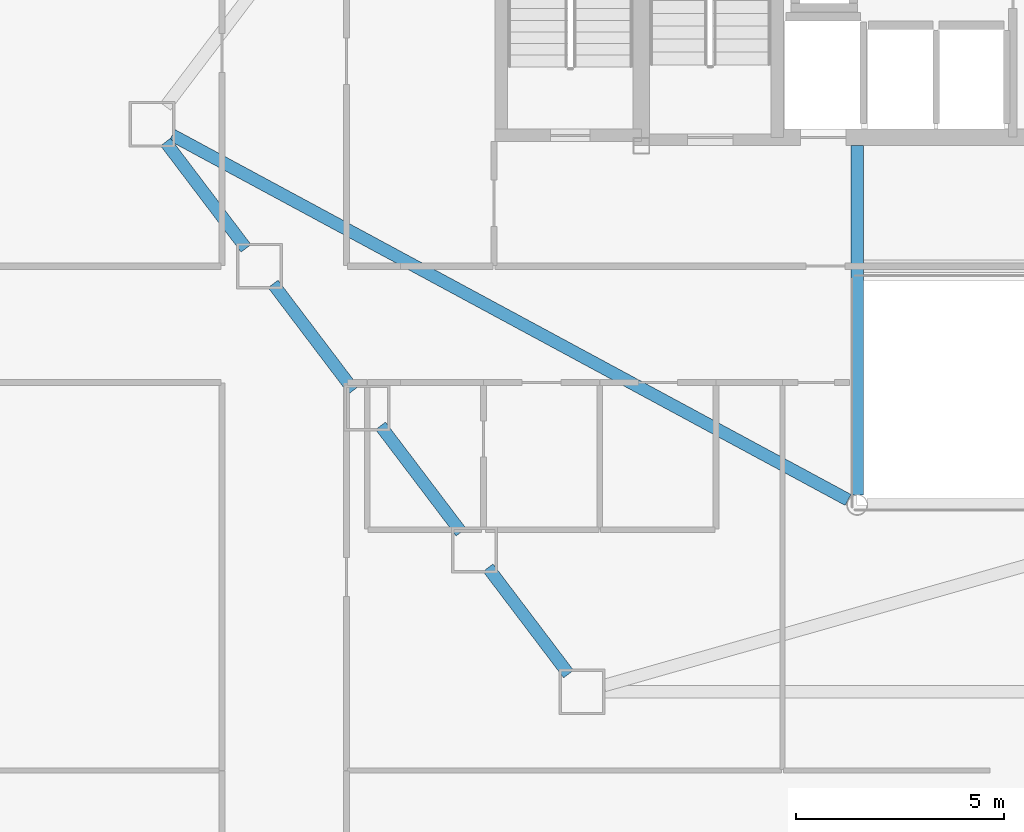
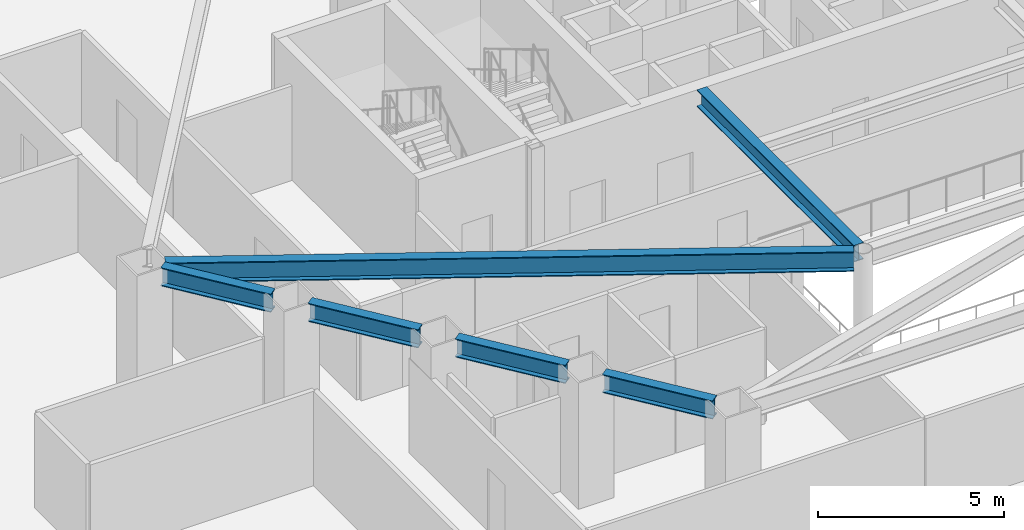
# One storey, part 10 of 37: 6 beams.
"""IFC4 building model written with IfcOpenShell, lengths in metres."""

from ifc_helpers import new_model, si_unit, direction, frame, origin, origin_2d, place, context, subcontext, project, spatial, i_section, extrude, material, material_profile, profile_set, type_object, element, save


model = new_model("IFC4")

# Units and contexts
model_context = context("Model", 3, precision=1e-05, world=origin(), true_north=direction((0.0, 1.0)))
body_context = subcontext(model_context, "Body", "Model", "MODEL_VIEW")
ifc_project = project(units=[si_unit("LENGTHUNIT", "METRE"), si_unit("AREAUNIT", "SQUARE_METRE"), si_unit("VOLUMEUNIT", "CUBIC_METRE"), si_unit("PLANEANGLEUNIT", "RADIAN"), si_unit("MASSUNIT", "GRAM", prefix="KILO")], contexts=[model_context])

# Site, building, storey
site_placement = place(None, origin())
site = spatial("IfcSite", under=ifc_project, at=site_placement, CompositionType="ELEMENT")
building_placement = place(site_placement, origin())
building = spatial("IfcBuilding", under=site, at=building_placement, Name="Zarrinselat Tower", CompositionType="ELEMENT")
storey_placement = place(building_placement, frame((0.0, 0.0, 13.93994140625)))
storey = spatial("IfcBuildingStorey", under=building, at=storey_placement, Name="L03", CompositionType="ELEMENT", Elevation=13.93994140625)

# Beams
ifc_material_1 = material(Name="Steel S355J2", Category="steel")
ifc_material_profile_1 = material_profile(ifc_material_1, i_section(OverallWidth=0.300048828125, OverallDepth=0.550048828125, WebThickness=0.014892578125, FlangeThickness=0.029052734375, at=origin_2d()), Name="HEB 550")
ifc_profile_set_1 = profile_set([ifc_material_profile_1], Name="Steel S355J2")
beam_type_1 = type_object("IfcBeamType", Name="BM-HEB550", PredefinedType="BEAM", material=ifc_profile_set_1)
beam_1_placement = place(storey_placement, frame((33.800048828125, 24.639892578125, 3.864990234375), z_axis=(0.0, 1.0, 0.0), x_axis=(-1.0, 0.0, 0.0)))
element("IfcBeam", 1, at=beam_1_placement, inside=storey, type_object=beam_type_1, Name="L03 Atrium Edge Beam W", PredefinedType="BEAM", context=body_context, shape_type="SweptSolid", body=[
    extrude(i_section(OverallWidth=0.300048828125, OverallDepth=0.550048828125, WebThickness=0.014892578125, FlangeThickness=0.029052734375, at=origin_2d()), origin(), (0.0, 0.0, 1.0), 8.420166015625),
])
ifc_material_2 = material(Name="Steel S355J2", Category="steel")
ifc_material_profile_2 = material_profile(ifc_material_2, i_section(OverallWidth=0.300048828125, OverallDepth=0.60009765625, WebThickness=0.015380859375, FlangeThickness=0.030029296875, at=origin_2d()), Name="HEB 600")
ifc_profile_set_2 = profile_set([ifc_material_profile_2], Name="Steel S355J2")
beam_type_2 = type_object("IfcBeamType", Name="BM-HEB600", PredefinedType="BEAM", material=ifc_profile_set_2)
for number, where, z_axis, x_axis, name in (
    (2, (17.140380859375, 33.13916015625, 3.840087890625), (0.6038723216, -0.797081061878, 0.0), (0.797081061878, 0.6038723216, 0.0), "L03 Perimeter Spandrel Girder SP06"),
    (3, (19.729736328125, 29.72119140625, 3.840087890625), (0.6038723216, -0.797081061878, 0.0), (0.797081061878, 0.6038723216, 0.0), "L03 Perimeter Spandrel Girder SP07"),
    (4, (22.319091796875, 26.30322265625, 3.840087890625), (0.6038723216, -0.797081061878, 0.0), (0.797081061878, 0.6038723216, 0.0), "L03 Perimeter Spandrel Girder SP08"),
):
    element("IfcBeam", number, at=place(storey_placement, frame(where, z_axis=z_axis, x_axis=x_axis)), inside=storey, type_object=beam_type_2, Name=name, PredefinedType="BEAM", context=body_context, shape_type="SweptSolid", body=[
        extrude(i_section(OverallWidth=0.300048828125, OverallDepth=0.60009765625, WebThickness=0.015380859375, FlangeThickness=0.030029296875, at=origin_2d()), origin(), (0.0, 0.0, 1.0), 3.212158203125),
    ])
beam_2_placement = place(storey_placement, frame((24.908447265625, 22.88525390625, 3.840087890625), z_axis=(0.603835738536, -0.797108776057, 0.0), x_axis=(0.797108776057, 0.603835738536, 0.0)))
element("IfcBeam", 5, at=beam_2_placement, inside=storey, type_object=beam_type_2, Name="L03 Perimeter Spandrel Girder SP09", PredefinedType="BEAM", context=body_context, shape_type="SweptSolid", body=[
    extrude(i_section(OverallWidth=0.300048828125, OverallDepth=0.60009765625, WebThickness=0.015380859375, FlangeThickness=0.030029296875, at=origin_2d()), origin(), (0.0, 0.0, 1.0), 3.21240234375),
])
ifc_material_3 = material(Name="Steel S355J2", Category="steel")
ifc_material_profile_3 = material_profile(ifc_material_3, i_section(OverallWidth=0.300048828125, OverallDepth=0.64990234375, WebThickness=0.01611328125, FlangeThickness=0.031005859375, at=origin_2d()), Name="HEB 650")
ifc_profile_set_3 = profile_set([ifc_material_profile_3], Name="Steel S355J2")
beam_type_3 = type_object("IfcBeamType", Name="BM-HEB650", PredefinedType="BEAM", material=ifc_profile_set_3)
beam_3_placement = place(storey_placement, frame((17.30126953125, 33.305908203125, 3.81494140625), z_axis=(0.879983295663, -0.475004630876, 0.0), x_axis=(0.475004630876, 0.879983295663, 0.0)))
element("IfcBeam", 6, at=beam_3_placement, inside=storey, type_object=beam_type_3, Name="L03 Radial Primary Girder RG06", PredefinedType="BEAM", context=body_context, shape_type="SweptSolid", body=[
    extrude(i_section(OverallWidth=0.300048828125, OverallDepth=0.64990234375, WebThickness=0.01611328125, FlangeThickness=0.031005859375, at=origin_2d()), origin(), (0.0, 0.0, 1.0), 18.4990234375),
])

save(model, "model.ifc")
